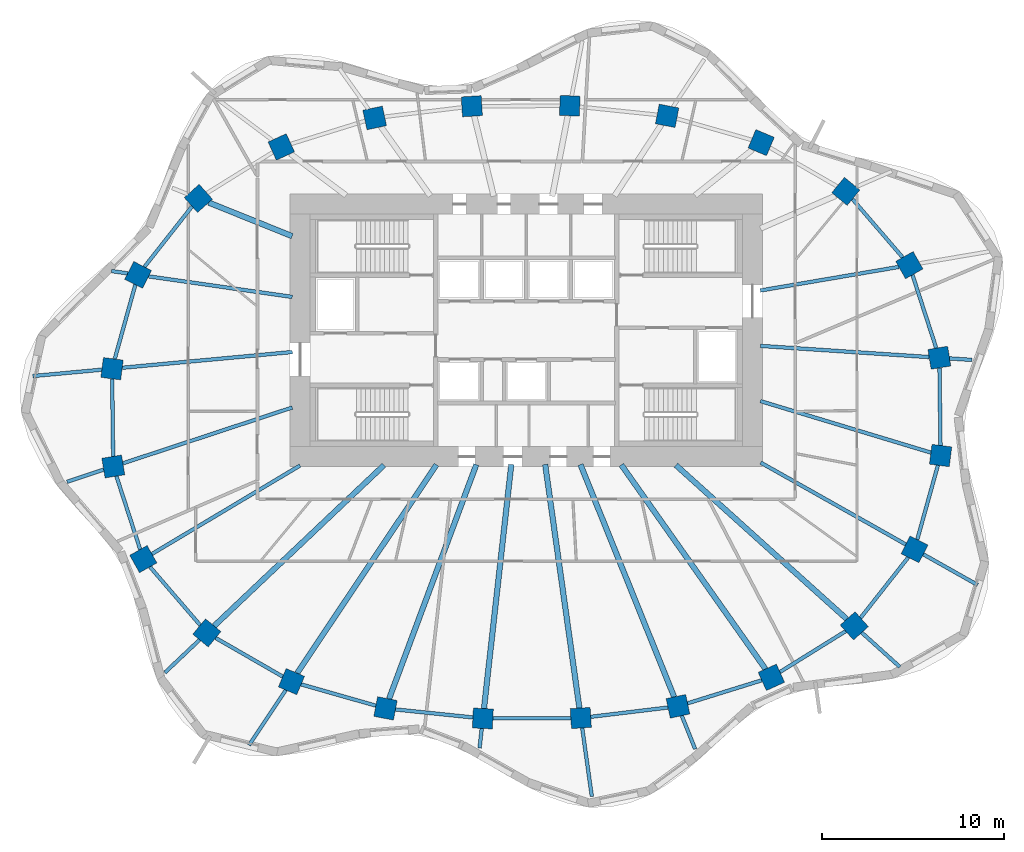
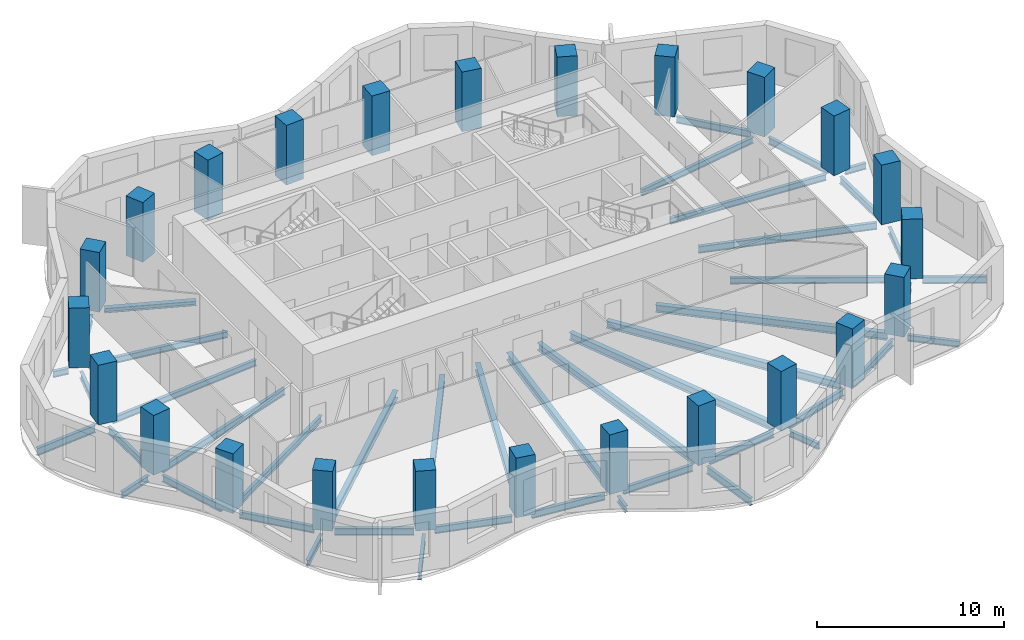
# One storey, part 1 of 9: 45 beams, 24 columns.
"""IFC4 building model written with IfcOpenShell, lengths in metres."""

from ifc_helpers import new_model, si_unit, direction, frame, origin, origin_2d, place, context, subcontext, project, spatial, rectangle, i_section, extrude, material, material_profile, profile_set, type_object, element, save


model = new_model("IFC4")

# Units and contexts
model_context = context("Model", 3, precision=1e-05, world=origin(), true_north=direction((0.0, 1.0)))
body_context = subcontext(model_context, "Body", "Model", "MODEL_VIEW")
ifc_project = project(units=[si_unit("LENGTHUNIT", "METRE"), si_unit("AREAUNIT", "SQUARE_METRE"), si_unit("VOLUMEUNIT", "CUBIC_METRE"), si_unit("PLANEANGLEUNIT", "RADIAN"), si_unit("MASSUNIT", "GRAM", prefix="KILO")], contexts=[model_context])

# Site, building, storey
site_placement = place(None, origin())
site = spatial("IfcSite", under=ifc_project, at=site_placement, CompositionType="ELEMENT")
building_placement = place(site_placement, origin())
building = spatial("IfcBuilding", under=site, at=building_placement, Name="Rubra Terraces Tower", CompositionType="ELEMENT")
storey_placement = place(building_placement, frame((0.0, 0.0, 138.300048828125)))
storey = spatial("IfcBuildingStorey", under=building, at=storey_placement, Name="L33", CompositionType="ELEMENT", Elevation=138.300048828125)

# Columns
ifc_material_1 = material(Name="Concrete C50", Category="concrete")
ifc_material_profile_1 = material_profile(ifc_material_1, rectangle(XDim=1.10009765625, YDim=1.10009765625, at=origin_2d()), Name="RC 1100x1100")
ifc_profile_set_1 = profile_set([ifc_material_profile_1], Name="Concrete C50")
column_type = type_object("IfcColumnType", Name="RING COLUMN RC 1100x1100 C50", PredefinedType="COLUMN", material=ifc_profile_set_1)
for number, where, z_axis, x_axis, name in (
    (1, (22.73388671875, 2.992919921875, 0.0), (0.0, 0.0, 1.0), (-0.162062155721, 0.986780551938, 0.0), "column-L33-ring-01"),
    (2, (21.0810546875, 8.090087890625, 0.0), (0.0, 0.0, 1.0), (-0.490161823029, 0.8716314515, 0.0), "column-L33-ring-02"),
    (3, (17.583984375, 12.15087890625, 0.0), (0.0, 0.0, 1.0), (-0.770679191336, 0.637223339216, 0.0), "column-L33-ring-03"),
    (4, (12.927001953125, 14.83203125, 0.0), (0.0, 0.0, 1.0), (-0.92110553102, 0.389312985558, 0.0), "column-L33-ring-04"),
    (5, (7.7509765625, 16.306884765625, 0.0), (0.0, 0.0, 1.0), (-0.981936574306, 0.189210369799, 0.0), "column-L33-ring-05"),
    (6, (2.39208984375, 16.862060546875, 0.0), (0.0, 0.0, 1.0), (-0.998791416829, 0.049149828786, 0.0), "column-L33-ring-06"),
    (7, (-2.9990234375, 16.8359375, 0.0), (0.0, 0.0, 1.0), (-0.998059443319, -0.062268351524, 0.0), "column-L33-ring-07"),
    (8, (-8.346923828125, 16.19189453125, 0.0), (0.0, 0.0, 1.0), (-0.977944102772, -0.208866780156, 0.0), "column-L33-ring-08"),
    (9, (-13.487060546875, 14.595947265625, 0.0), (0.0, 0.0, 1.0), (-0.90972649622, -0.415208022652, 0.0), "column-L33-ring-09"),
    (10, (-18.051025390625, 11.762939453125, 0.0), (0.0, 0.0, 1.0), (-0.7456420961, -0.66634665492, 0.0), "column-L33-ring-10"),
    (11, (-21.366943359375, 7.553955078125, 0.0), (0.0, 0.0, 1.0), (-0.452078869866, -0.891977968013, 0.0), "column-L33-ring-11"),
    (12, (-22.802001953125, 2.388916015625, 0.0), (0.0, 0.0, 1.0), (-0.128535191473, -0.991704948336, 0.0), "column-L33-ring-12"),
    (13, (-22.73388671875, -2.992919921875, 0.0), (0.0, 0.0, 1.0), (0.162062155721, -0.986780551938, 0.0), "column-L33-ring-13"),
    (14, (-21.0810546875, -8.090087890625, 0.0), (0.0, 0.0, 1.0), (0.490161823029, -0.8716314515, 0.0), "column-L33-ring-14"),
    (15, (-17.583984375, -12.15087890625, 0.0), (0.0, 0.0, 1.0), (0.770679191336, -0.637223339216, 0.0), "column-L33-ring-15"),
    (16, (-12.927001953125, -14.83203125, 0.0), (0.0, 0.0, 1.0), (0.92110553102, -0.389312985558, 0.0), "column-L33-ring-16"),
    (17, (-7.7509765625, -16.306884765625, 0.0), (0.0, 0.0, 1.0), (0.981936574306, -0.189210369799, 0.0), "column-L33-ring-17"),
    (18, (-2.39208984375, -16.862060546875, 0.0), (0.0, 0.0, 1.0), (0.998791416829, -0.049149828786, 0.0), "column-L33-ring-18"),
    (19, (2.9990234375, -16.8359375, 0.0), (0.0, 0.0, 1.0), (0.998059443319, 0.062268351524, 0.0), "column-L33-ring-19"),
    (20, (8.346923828125, -16.19189453125, 0.0), (0.0, 0.0, 1.0), (0.977944102772, 0.208866780156, 0.0), "column-L33-ring-20"),
    (21, (13.487060546875, -14.595947265625, 0.0), (0.0, 0.0, 1.0), (0.90972649622, 0.415208022652, 0.0), "column-L33-ring-21"),
    (22, (18.051025390625, -11.762939453125, 0.0), (0.0, 0.0, 1.0), (0.7456420961, 0.66634665492, 0.0), "column-L33-ring-22"),
    (23, (21.366943359375, -7.553955078125, 0.0), (0.0, 0.0, 1.0), (0.452078869866, 0.891977968013, 0.0), "column-L33-ring-23"),
    (24, (22.802001953125, -2.388916015625, 0.0), (0.0, 0.0, 1.0), (0.128535191473, 0.991704948336, 0.0), "column-L33-ring-24"),
):
    element("IfcColumn", number, at=place(storey_placement, frame(where, z_axis=z_axis, x_axis=x_axis)), inside=storey, type_object=column_type, Name=name, PredefinedType="COLUMN", context=body_context, shape_type="SweptSolid", body=[
        extrude(rectangle(XDim=1.10009765625, YDim=1.10009765625, at=origin_2d()), origin(), (0.0, 0.0, 1.0), 3.89990234375),
    ])

# Beams
ifc_material_2 = material(Name="Steel Q355B", Category="steel")
ifc_material_profile_2 = material_profile(ifc_material_2, i_section(OverallWidth=0.199951171875, OverallDepth=0.39990234375, WebThickness=0.008056640625, FlangeThickness=0.012939453125, at=origin_2d()), Name="HN 400x200x8x13")
ifc_profile_set_2 = profile_set([ifc_material_profile_2], Name="Steel Q355B")
beam_type_1 = type_object("IfcBeamType", Name="CANTILEVER BEAM HN 400x200x8x13", PredefinedType="BEAM", material=ifc_profile_set_2)
beam_1_placement = place(storey_placement, frame((-23.262939453125, -3.1669921875, -0.400146484375), z_axis=(-0.949759374295, -0.312981039264, 0.0), x_axis=(0.312981039264, -0.949759374295, 0.0)))
element("IfcBeam", 25, at=beam_1_placement, inside=storey, type_object=beam_type_1, Name="beam-L33-cant-13", PredefinedType="BEAM", context=body_context, shape_type="SweptSolid", body=[
    extrude(i_section(OverallWidth=0.199951171875, OverallDepth=0.39990234375, WebThickness=0.008056640625, FlangeThickness=0.012939453125, at=origin_2d()), origin(), (0.0, 0.0, 1.0), 2.121826171875),
])
beam_2_placement = place(storey_placement, frame((-17.986083984375, -12.531982421875, -0.400146484375), z_axis=(-0.726102150889, -0.68758684286, 0.0), x_axis=(0.68758684286, -0.726102150889, 0.0)))
element("IfcBeam", 26, at=beam_2_placement, inside=storey, type_object=beam_type_1, Name="beam-L33-cant-15", PredefinedType="BEAM", context=body_context, shape_type="SweptSolid", body=[
    extrude(i_section(OverallWidth=0.199951171875, OverallDepth=0.39990234375, WebThickness=0.008056640625, FlangeThickness=0.012939453125, at=origin_2d()), origin(), (0.0, 0.0, 1.0), 2.617919921875),
])
beam_3_placement = place(storey_placement, frame((8.555908203125, -16.7099609375, -0.400146484375), z_axis=(0.374177271319, -0.927357196353, 0.0), x_axis=(0.927357196353, 0.374177271319, 0.0)))
element("IfcBeam", 27, at=beam_3_placement, inside=storey, type_object=beam_type_1, Name="beam-L33-cant-20", PredefinedType="BEAM", context=body_context, shape_type="SweptSolid", body=[
    extrude(i_section(OverallWidth=0.199951171875, OverallDepth=0.39990234375, WebThickness=0.008056640625, FlangeThickness=0.012939453125, at=origin_2d()), origin(), (0.0, 0.0, 1.0), 1.9775390625),
])
beam_4_placement = place(storey_placement, frame((18.4619140625, -12.133056640625, -0.400146484375), z_axis=(0.742863981183, -0.669442383974, 0.0), x_axis=(0.669442383974, 0.742863981183, 0.0)))
element("IfcBeam", 28, at=beam_4_placement, inside=storey, type_object=beam_type_1, Name="beam-L33-cant-22", PredefinedType="BEAM", context=body_context, shape_type="SweptSolid", body=[
    extrude(i_section(OverallWidth=0.199951171875, OverallDepth=0.39990234375, WebThickness=0.008056640625, FlangeThickness=0.012939453125, at=origin_2d()), origin(), (0.0, 0.0, 1.0), 2.822998046875),
])
ifc_material_profile_3 = material_profile(ifc_material_2, i_section(OverallWidth=0.198974609375, OverallDepth=0.446044921875, WebThickness=0.008056640625, FlangeThickness=0.011962890625, at=origin_2d()), Name="HN 446x199x8x12")
ifc_profile_set_3 = profile_set([ifc_material_profile_3], Name="Steel Q355B")
beam_type_2 = type_object("IfcBeamType", Name="CANTILEVER BEAM HN 446x199x8x12", PredefinedType="BEAM", material=ifc_profile_set_3)
beam_5_placement = place(storey_placement, frame((21.846923828125, -7.824951171875, -0.423095703125), z_axis=(0.871003430184, -0.491276932705, 0.0), x_axis=(0.491276932705, 0.871003430184, 0.0)))
element("IfcBeam", 29, at=beam_5_placement, inside=storey, type_object=beam_type_2, Name="beam-L33-cant-23", PredefinedType="BEAM", context=body_context, shape_type="SweptSolid", body=[
    extrude(i_section(OverallWidth=0.198974609375, OverallDepth=0.446044921875, WebThickness=0.008056640625, FlangeThickness=0.011962890625, at=origin_2d()), origin(), (0.0, 0.0, 1.0), 3.433837890625),
])
ifc_material_profile_4 = material_profile(ifc_material_2, i_section(OverallWidth=0.198974609375, OverallDepth=0.49609375, WebThickness=0.009033203125, FlangeThickness=0.013916015625, at=origin_2d()), Name="HN 496x199x9x14")
ifc_profile_set_4 = profile_set([ifc_material_profile_4], Name="Steel Q355B")
beam_type_3 = type_object("IfcBeamType", Name="CANTILEVER BEAM HN 496x199x9x14", PredefinedType="BEAM", material=ifc_profile_set_4)
beam_6_placement = place(storey_placement, frame((-23.363037109375, 2.3369140625, -0.447998046875), z_axis=(-0.995741870342, -0.092185289763, 0.0), x_axis=(0.092185289763, -0.995741870342, 0.0)))
element("IfcBeam", 30, at=beam_6_placement, inside=storey, type_object=beam_type_3, Name="beam-L33-cant-12", PredefinedType="BEAM", context=body_context, shape_type="SweptSolid", body=[
    extrude(i_section(OverallWidth=0.198974609375, OverallDepth=0.49609375, WebThickness=0.009033203125, FlangeThickness=0.013916015625, at=origin_2d()), origin(), (0.0, 0.0, 1.0), 3.81640625),
])
beam_7_placement = place(storey_placement, frame((-13.238037109375, -15.298095703125, -0.447998046875), z_axis=(-0.555843573912, -0.831286906754, 0.0), x_axis=(0.831286906754, -0.555843573912, 0.0)))
element("IfcBeam", 31, at=beam_7_placement, inside=storey, type_object=beam_type_3, Name="beam-L33-cant-16", PredefinedType="BEAM", context=body_context, shape_type="SweptSolid", body=[
    extrude(i_section(OverallWidth=0.198974609375, OverallDepth=0.49609375, WebThickness=0.009033203125, FlangeThickness=0.013916015625, at=origin_2d()), origin(), (0.0, 0.0, 1.0), 3.644775390625),
])
beam_8_placement = place(storey_placement, frame((3.075927734375, -17.382080078125, -0.447998046875), z_axis=(0.139115411885, -0.990276174699, 0.0), x_axis=(0.990276174699, 0.139115411885, 0.0)))
element("IfcBeam", 32, at=beam_8_placement, inside=storey, type_object=beam_type_3, Name="beam-L33-cant-19", PredefinedType="BEAM", context=body_context, shape_type="SweptSolid", body=[
    extrude(i_section(OverallWidth=0.198974609375, OverallDepth=0.49609375, WebThickness=0.009033203125, FlangeThickness=0.013916015625, at=origin_2d()), origin(), (0.0, 0.0, 1.0), 3.81005859375),
])
ifc_material_profile_5 = material_profile(ifc_material_2, i_section(OverallWidth=0.199951171875, OverallDepth=0.39990234375, WebThickness=0.008056640625, FlangeThickness=0.012939453125, at=origin_2d()), Name="HN 400x200x8x13")
ifc_profile_set_5 = profile_set([ifc_material_profile_5], Name="Steel Q355B")
beam_type_4 = type_object("IfcBeamType", Name="CANTILEVER STUB HN 400x200x8x13", PredefinedType="BEAM", material=ifc_profile_set_5)
beam_9_placement = place(storey_placement, frame((23.298095703125, 2.9560546875, -0.400146484375), z_axis=(0.99781120572, -0.06612713316, 0.0), x_axis=(0.06612713316, 0.99781120572, 0.0)))
element("IfcBeam", 33, at=beam_9_placement, inside=storey, type_object=beam_type_4, Name="beam-L33-cant-01", PredefinedType="BEAM", context=body_context, shape_type="SweptSolid", body=[
    extrude(i_section(OverallWidth=0.199951171875, OverallDepth=0.39990234375, WebThickness=0.008056640625, FlangeThickness=0.012939453125, at=origin_2d()), origin(), (0.0, 0.0, 1.0), 1.240478515625),
])
beam_10_placement = place(storey_placement, frame((-21.94189453125, 7.635986328125, -0.400146484375), z_axis=(-0.989916778715, 0.141650171968, 0.0), x_axis=(-0.141650171968, -0.989916778715, 0.0)))
element("IfcBeam", 34, at=beam_10_placement, inside=storey, type_object=beam_type_4, Name="beam-L33-cant-11", PredefinedType="BEAM", context=body_context, shape_type="SweptSolid", body=[
    extrude(i_section(OverallWidth=0.199951171875, OverallDepth=0.39990234375, WebThickness=0.008056640625, FlangeThickness=0.012939453125, at=origin_2d()), origin(), (0.0, 0.0, 1.0), 0.896240234375),
])
beam_11_placement = place(storey_placement, frame((-2.452880859375, -17.409912109375, -0.400146484375), z_axis=(-0.111318262137, -0.993784807951, 0.0), x_axis=(0.993784807951, -0.111318262137, 0.0)))
element("IfcBeam", 35, at=beam_11_placement, inside=storey, type_object=beam_type_4, Name="beam-L33-cant-18", PredefinedType="BEAM", context=body_context, shape_type="SweptSolid", body=[
    extrude(i_section(OverallWidth=0.199951171875, OverallDepth=0.39990234375, WebThickness=0.008056640625, FlangeThickness=0.012939453125, at=origin_2d()), origin(), (0.0, 0.0, 1.0), 1.087890625),
])
ifc_material_profile_6 = material_profile(ifc_material_2, i_section(OverallWidth=0.300048828125, OverallDepth=0.48193359375, WebThickness=0.010986328125, FlangeThickness=0.014892578125, at=origin_2d()), Name="HM 482x300x11x15")
ifc_profile_set_6 = profile_set([ifc_material_profile_6], Name="Steel Q355B")
beam_type_5 = type_object("IfcBeamType", Name="FLOOR BEAM HM 482x300x11x15", PredefinedType="BEAM", material=ifc_profile_set_6)
beam_12_placement = place(storey_placement, frame((-17.181884765625, -11.77001953125, -0.441162109375), z_axis=(0.726100153208, 0.687588952436, 0.0), x_axis=(-0.687588952436, 0.726100153208, 0.0)))
element("IfcBeam", 36, at=beam_12_placement, inside=storey, type_object=beam_type_5, Name="beam-L33-floor-15", PredefinedType="BEAM", context=body_context, shape_type="SweptSolid", body=[
    extrude(i_section(OverallWidth=0.300048828125, OverallDepth=0.48193359375, WebThickness=0.010986328125, FlangeThickness=0.014892578125, at=origin_2d()), origin(), (0.0, 0.0, 1.0), 12.87548828125),
])
beam_13_placement = place(storey_placement, frame((-12.615966796875, -14.365966796875, -0.441162109375), z_axis=(0.555900449773, 0.831248873649, 0.0), x_axis=(-0.831248873649, 0.555900449773, 0.0)))
element("IfcBeam", 37, at=beam_13_placement, inside=storey, type_object=beam_type_5, Name="beam-L33-floor-16", PredefinedType="BEAM", context=body_context, shape_type="SweptSolid", body=[
    extrude(i_section(OverallWidth=0.300048828125, OverallDepth=0.48193359375, WebThickness=0.010986328125, FlangeThickness=0.014892578125, at=origin_2d()), origin(), (0.0, 0.0, 1.0), 13.793701171875),
])
beam_14_placement = place(storey_placement, frame((-7.555908203125, -15.783935546875, -0.441162109375), z_axis=(0.349081226263, 0.937092470075, 0.0), x_axis=(-0.937092470075, 0.349081226263, 0.0)))
element("IfcBeam", 38, at=beam_14_placement, inside=storey, type_object=beam_type_5, Name="beam-L33-floor-17", PredefinedType="BEAM", context=body_context, shape_type="SweptSolid", body=[
    extrude(i_section(OverallWidth=0.300048828125, OverallDepth=0.48193359375, WebThickness=0.010986328125, FlangeThickness=0.014892578125, at=origin_2d()), origin(), (0.0, 0.0, 1.0), 13.76171875),
])
beam_15_placement = place(storey_placement, frame((-2.3310546875, -16.31396484375, -0.441162109375), z_axis=(0.111351311584, 0.993781105379, 0.0), x_axis=(-0.993781105379, 0.111351311584, 0.0)))
element("IfcBeam", 39, at=beam_15_placement, inside=storey, type_object=beam_type_5, Name="beam-L33-floor-18", PredefinedType="BEAM", context=body_context, shape_type="SweptSolid", body=[
    extrude(i_section(OverallWidth=0.300048828125, OverallDepth=0.48193359375, WebThickness=0.010986328125, FlangeThickness=0.014892578125, at=origin_2d()), origin(), (0.0, 0.0, 1.0), 13.516845703125),
])
beam_16_placement = place(storey_placement, frame((2.922119140625, -16.2900390625, -0.441162109375), z_axis=(-0.139139078011, 0.990272849759, 0.0), x_axis=(-0.990272849759, -0.139139078011, 0.0)))
element("IfcBeam", 40, at=beam_16_placement, inside=storey, type_object=beam_type_5, Name="beam-L33-floor-19", PredefinedType="BEAM", context=body_context, shape_type="SweptSolid", body=[
    extrude(i_section(OverallWidth=0.300048828125, OverallDepth=0.48193359375, WebThickness=0.010986328125, FlangeThickness=0.014892578125, at=origin_2d()), origin(), (0.0, 0.0, 1.0), 13.54052734375),
])
beam_17_placement = place(storey_placement, frame((8.137939453125, -15.674072265625, -0.441162109375), z_axis=(-0.374072995757, 0.927399263449, 0.0), x_axis=(-0.927399263449, -0.374072995757, 0.0)))
element("IfcBeam", 41, at=beam_17_placement, inside=storey, type_object=beam_type_5, Name="beam-L33-floor-20", PredefinedType="BEAM", context=body_context, shape_type="SweptSolid", body=[
    extrude(i_section(OverallWidth=0.300048828125, OverallDepth=0.48193359375, WebThickness=0.010986328125, FlangeThickness=0.014892578125, at=origin_2d()), origin(), (0.0, 0.0, 1.0), 13.7861328125),
])
beam_18_placement = place(storey_placement, frame((13.1640625, -14.138916015625, -0.441162109375), z_axis=(-0.576885242087, 0.816825206187, 0.0), x_axis=(-0.816825206187, -0.576885242087, 0.0)))
element("IfcBeam", 42, at=beam_18_placement, inside=storey, type_object=beam_type_5, Name="beam-L33-floor-21", PredefinedType="BEAM", context=body_context, shape_type="SweptSolid", body=[
    extrude(i_section(OverallWidth=0.300048828125, OverallDepth=0.48193359375, WebThickness=0.010986328125, FlangeThickness=0.014892578125, at=origin_2d()), origin(), (0.0, 0.0, 1.0), 13.756591796875),
])
beam_19_placement = place(storey_placement, frame((17.639892578125, -11.39306640625, -0.441162109375), z_axis=(-0.742946892742, 0.669350367569, 0.0), x_axis=(-0.669350367569, -0.742946892742, 0.0)))
element("IfcBeam", 43, at=beam_19_placement, inside=storey, type_object=beam_type_5, Name="beam-L33-floor-22", PredefinedType="BEAM", context=body_context, shape_type="SweptSolid", body=[
    extrude(i_section(OverallWidth=0.300048828125, OverallDepth=0.48193359375, WebThickness=0.010986328125, FlangeThickness=0.014892578125, at=origin_2d()), origin(), (0.0, 0.0, 1.0), 12.65869140625),
])
ifc_material_profile_7 = material_profile(ifc_material_2, i_section(OverallWidth=0.199951171875, OverallDepth=0.39990234375, WebThickness=0.008056640625, FlangeThickness=0.012939453125, at=origin_2d()), Name="HN 400x200x8x13")
ifc_profile_set_7 = profile_set([ifc_material_profile_7], Name="Steel Q355B")
beam_type_6 = type_object("IfcBeamType", Name="FLOOR BEAM HN 400x200x8x13", PredefinedType="BEAM", material=ifc_profile_set_7)
beam_20_placement = place(storey_placement, frame((22.169921875, 3.030029296875, -0.400146484375), z_axis=(-0.997809110543, 0.0661587403, 0.0), x_axis=(-0.0661587403, -0.997809110543, 0.0)))
element("IfcBeam", 44, at=beam_20_placement, inside=storey, type_object=beam_type_6, Name="beam-L33-floor-01", PredefinedType="BEAM", context=body_context, shape_type="SweptSolid", body=[
    extrude(i_section(OverallWidth=0.199951171875, OverallDepth=0.39990234375, WebThickness=0.008056640625, FlangeThickness=0.012939453125, at=origin_2d()), origin(), (0.0, 0.0, 1.0), 9.310546875),
])
beam_21_placement = place(storey_placement, frame((20.5048828125, 7.991943359375, -0.400146484375), z_axis=(-0.985813612303, -0.167843742209, 0.0), x_axis=(0.167843742209, -0.985813612303, 0.0)))
element("IfcBeam", 45, at=beam_21_placement, inside=storey, type_object=beam_type_6, Name="beam-L33-floor-02", PredefinedType="BEAM", context=body_context, shape_type="SweptSolid", body=[
    extrude(i_section(OverallWidth=0.199951171875, OverallDepth=0.39990234375, WebThickness=0.008056640625, FlangeThickness=0.012939453125, at=origin_2d()), origin(), (0.0, 0.0, 1.0), 7.732421875),
])
beam_22_placement = place(storey_placement, frame((-20.7919921875, 7.471923828125, -0.400146484375), z_axis=(0.989936658262, -0.141511174924, 0.0), x_axis=(0.141511174924, 0.989936658262, 0.0)))
element("IfcBeam", 46, at=beam_22_placement, inside=storey, type_object=beam_type_6, Name="beam-L33-floor-11", PredefinedType="BEAM", context=body_context, shape_type="SweptSolid", body=[
    extrude(i_section(OverallWidth=0.199951171875, OverallDepth=0.39990234375, WebThickness=0.008056640625, FlangeThickness=0.012939453125, at=origin_2d()), origin(), (0.0, 0.0, 1.0), 7.9912109375),
])
beam_23_placement = place(storey_placement, frame((-22.240966796875, 2.44091796875, -0.400146484375), z_axis=(0.995735462061, 0.092254482791, 0.0), x_axis=(-0.092254482791, 0.995735462061, 0.0)))
element("IfcBeam", 47, at=beam_23_placement, inside=storey, type_object=beam_type_6, Name="beam-L33-floor-12", PredefinedType="BEAM", context=body_context, shape_type="SweptSolid", body=[
    extrude(i_section(OverallWidth=0.199951171875, OverallDepth=0.39990234375, WebThickness=0.008056640625, FlangeThickness=0.012939453125, at=origin_2d()), origin(), (0.0, 0.0, 1.0), 9.39990234375),
])
beam_24_placement = place(storey_placement, frame((-20.60888671875, -7.80810546875, -0.400146484375), z_axis=(0.858520950698, 0.51277848747, 0.0), x_axis=(-0.51277848747, 0.858520950698, 0.0)))
element("IfcBeam", 48, at=beam_24_placement, inside=storey, type_object=beam_type_6, Name="beam-L33-floor-14", PredefinedType="BEAM", context=body_context, shape_type="SweptSolid", body=[
    extrude(i_section(OverallWidth=0.199951171875, OverallDepth=0.39990234375, WebThickness=0.008056640625, FlangeThickness=0.012939453125, at=origin_2d()), origin(), (0.0, 0.0, 1.0), 9.49755859375),
])
beam_25_placement = place(storey_placement, frame((20.886962890625, -7.282958984375, -0.400146484375), z_axis=(-0.870988685804, 0.491303072656, 0.0), x_axis=(-0.491303072656, -0.870988685804, 0.0)))
element("IfcBeam", 49, at=beam_25_placement, inside=storey, type_object=beam_type_6, Name="beam-L33-floor-23", PredefinedType="BEAM", context=body_context, shape_type="SweptSolid", body=[
    extrude(i_section(OverallWidth=0.199951171875, OverallDepth=0.39990234375, WebThickness=0.008056640625, FlangeThickness=0.012939453125, at=origin_2d()), origin(), (0.0, 0.0, 1.0), 9.17578125),
])
ifc_material_profile_8 = material_profile(ifc_material_2, i_section(OverallWidth=0.198974609375, OverallDepth=0.446044921875, WebThickness=0.008056640625, FlangeThickness=0.011962890625, at=origin_2d()), Name="HN 446x199x8x12")
ifc_profile_set_8 = profile_set([ifc_material_profile_8], Name="Steel Q355B")
beam_type_7 = type_object("IfcBeamType", Name="FLOOR BEAM HN 446x199x8x12", PredefinedType="BEAM", material=ifc_profile_set_8)
beam_26_placement = place(storey_placement, frame((-22.205078125, -2.819091796875, -0.423095703125), z_axis=(0.949728041792, 0.313076103583, 0.0), x_axis=(-0.313076103583, 0.949728041792, 0.0)))
element("IfcBeam", 50, at=beam_26_placement, inside=storey, type_object=beam_type_7, Name="beam-L33-floor-13", PredefinedType="BEAM", context=body_context, shape_type="SweptSolid", body=[
    extrude(i_section(OverallWidth=0.198974609375, OverallDepth=0.446044921875, WebThickness=0.008056640625, FlangeThickness=0.011962890625, at=origin_2d()), origin(), (0.0, 0.0, 1.0), 9.8125),
])
beam_27_placement = place(storey_placement, frame((22.26806640625, -2.22802734375, -0.423095703125), z_axis=(-0.957261634756, 0.289223378419, 0.0), x_axis=(-0.289223378419, -0.957261634756, 0.0)))
element("IfcBeam", 51, at=beam_27_placement, inside=storey, type_object=beam_type_7, Name="beam-L33-floor-24", PredefinedType="BEAM", context=body_context, shape_type="SweptSolid", body=[
    extrude(i_section(OverallWidth=0.198974609375, OverallDepth=0.446044921875, WebThickness=0.008056640625, FlangeThickness=0.011962890625, at=origin_2d()), origin(), (0.0, 0.0, 1.0), 9.802001953125),
])
ifc_material_profile_9 = material_profile(ifc_material_2, i_section(OverallWidth=0.304931640625, OverallDepth=0.300048828125, WebThickness=0.014892578125, FlangeThickness=0.014892578125, at=origin_2d()), Name="HW 300x305x15x15")
ifc_profile_set_9 = profile_set([ifc_material_profile_9], Name="Steel Q355B")
beam_type_8 = type_object("IfcBeamType", Name="FLOOR BEAM HW 300x305x15x15", PredefinedType="BEAM", material=ifc_profile_set_9)
beam_28_placement = place(storey_placement, frame((-17.48193359375, 11.533935546875, -0.35009765625), z_axis=(0.927730023822, -0.373251929533, 0.0), x_axis=(0.373251929533, 0.927730023822, 0.0)))
element("IfcBeam", 52, at=beam_28_placement, inside=storey, type_object=beam_type_8, Name="beam-L33-floor-10", PredefinedType="BEAM", context=body_context, shape_type="SweptSolid", body=[
    extrude(i_section(OverallWidth=0.304931640625, OverallDepth=0.300048828125, WebThickness=0.014892578125, FlangeThickness=0.014892578125, at=origin_2d()), origin(), (0.0, 0.0, 1.0), 4.950927734375),
])
ifc_material_profile_10 = material_profile(ifc_material_2, i_section(OverallWidth=0.198974609375, OverallDepth=0.446044921875, WebThickness=0.008056640625, FlangeThickness=0.011962890625, at=origin_2d()), Name="HN 446x199x8x12")
ifc_profile_set_10 = profile_set([ifc_material_profile_10], Name="Steel Q355B")
beam_type_9 = type_object("IfcBeamType", Name="SPANDREL BEAM HN 446x199x8x12", PredefinedType="SPANDREL", material=ifc_profile_set_10)
beam_29_placement = place(storey_placement, frame((22.56201171875, 3.52197265625, -0.423095703125), z_axis=(-0.308462461648, 0.951236516201, 0.0), x_axis=(-0.951236516201, -0.308462461648, 0.0)))
element("IfcBeam", 53, at=beam_29_placement, inside=storey, type_object=beam_type_9, Name="beam-L33-spandrel-01", PredefinedType="SPANDREL", context=body_context, shape_type="SweptSolid", body=[
    extrude(i_section(OverallWidth=0.198974609375, OverallDepth=0.446044921875, WebThickness=0.008056640625, FlangeThickness=0.011962890625, at=origin_2d()), origin(), (0.0, 0.0, 1.0), 4.24072265625),
])
beam_30_placement = place(storey_placement, frame((20.715087890625, 8.514892578125, -0.423095703125), z_axis=(-0.65255344008, 0.757742705567, 0.0), x_axis=(-0.757742705567, -0.65255344008, 0.0)))
element("IfcBeam", 54, at=beam_30_placement, inside=storey, type_object=beam_type_9, Name="beam-L33-spandrel-02", PredefinedType="SPANDREL", context=body_context, shape_type="SweptSolid", body=[
    extrude(i_section(OverallWidth=0.198974609375, OverallDepth=0.446044921875, WebThickness=0.008056640625, FlangeThickness=0.011962890625, at=origin_2d()), origin(), (0.0, 0.0, 1.0), 4.240478515625),
])
beam_31_placement = place(storey_placement, frame((-18.39697265625, 11.323974609375, -0.423095703125), z_axis=(-0.618917461688, -0.785456030353, 0.0), x_axis=(0.785456030353, -0.618917461688, 0.0)))
element("IfcBeam", 55, at=beam_31_placement, inside=storey, type_object=beam_type_9, Name="beam-L33-spandrel-10", PredefinedType="SPANDREL", context=body_context, shape_type="SweptSolid", body=[
    extrude(i_section(OverallWidth=0.198974609375, OverallDepth=0.446044921875, WebThickness=0.008056640625, FlangeThickness=0.011962890625, at=origin_2d()), origin(), (0.0, 0.0, 1.0), 4.238037109375),
])
beam_32_placement = place(storey_placement, frame((-21.51708984375, 7.013916015625, -0.423095703125), z_axis=(-0.267626064819, -0.96352285361, 0.0), x_axis=(0.96352285361, -0.267626064819, 0.0)))
element("IfcBeam", 56, at=beam_32_placement, inside=storey, type_object=beam_type_9, Name="beam-L33-spandrel-11", PredefinedType="SPANDREL", context=body_context, shape_type="SweptSolid", body=[
    extrude(i_section(OverallWidth=0.198974609375, OverallDepth=0.446044921875, WebThickness=0.008056640625, FlangeThickness=0.011962890625, at=origin_2d()), origin(), (0.0, 0.0, 1.0), 4.24462890625),
])
beam_33_placement = place(storey_placement, frame((-22.794921875, 1.8330078125, -0.423095703125), z_axis=(0.012634783266, -0.99992017794, 0.0), x_axis=(0.99992017794, 0.012634783266, 0.0)))
element("IfcBeam", 57, at=beam_33_placement, inside=storey, type_object=beam_type_9, Name="beam-L33-spandrel-12", PredefinedType="SPANDREL", context=body_context, shape_type="SweptSolid", body=[
    extrude(i_section(OverallWidth=0.198974609375, OverallDepth=0.446044921875, WebThickness=0.008056640625, FlangeThickness=0.011962890625, at=origin_2d()), origin(), (0.0, 0.0, 1.0), 4.270263671875),
])
beam_34_placement = place(storey_placement, frame((-22.56201171875, -3.52197265625, -0.423095703125), z_axis=(0.308462461648, -0.951236516201, 0.0), x_axis=(0.951236516201, 0.308462461648, 0.0)))
element("IfcBeam", 58, at=beam_34_placement, inside=storey, type_object=beam_type_9, Name="beam-L33-spandrel-13", PredefinedType="SPANDREL", context=body_context, shape_type="SweptSolid", body=[
    extrude(i_section(OverallWidth=0.198974609375, OverallDepth=0.446044921875, WebThickness=0.008056640625, FlangeThickness=0.011962890625, at=origin_2d()), origin(), (0.0, 0.0, 1.0), 4.24072265625),
])
beam_35_placement = place(storey_placement, frame((-20.715087890625, -8.514892578125, -0.423095703125), z_axis=(0.65255344008, -0.757742705567, 0.0), x_axis=(0.757742705567, 0.65255344008, 0.0)))
element("IfcBeam", 59, at=beam_35_placement, inside=storey, type_object=beam_type_9, Name="beam-L33-spandrel-14", PredefinedType="SPANDREL", context=body_context, shape_type="SweptSolid", body=[
    extrude(i_section(OverallWidth=0.198974609375, OverallDepth=0.446044921875, WebThickness=0.008056640625, FlangeThickness=0.011962890625, at=origin_2d()), origin(), (0.0, 0.0, 1.0), 4.240478515625),
])
beam_36_placement = place(storey_placement, frame((-17.10009765625, -12.428955078125, -0.423095703125), z_axis=(0.866560147027, -0.49907265161, 0.0), x_axis=(0.49907265161, 0.866560147027, 0.0)))
element("IfcBeam", 60, at=beam_36_placement, inside=storey, type_object=beam_type_9, Name="beam-L33-spandrel-15", PredefinedType="SPANDREL", context=body_context, shape_type="SweptSolid", body=[
    extrude(i_section(OverallWidth=0.198974609375, OverallDepth=0.446044921875, WebThickness=0.008056640625, FlangeThickness=0.011962890625, at=origin_2d()), origin(), (0.0, 0.0, 1.0), 4.26171875),
])
beam_37_placement = place(storey_placement, frame((-12.39404296875, -14.98388671875, -0.423095703125), z_axis=(0.961693978406, -0.274125321518, 0.0), x_axis=(0.274125321518, 0.961693978406, 0.0)))
element("IfcBeam", 61, at=beam_37_placement, inside=storey, type_object=beam_type_9, Name="beam-L33-spandrel-16", PredefinedType="SPANDREL", context=body_context, shape_type="SweptSolid", body=[
    extrude(i_section(OverallWidth=0.198974609375, OverallDepth=0.446044921875, WebThickness=0.008056640625, FlangeThickness=0.011962890625, at=origin_2d()), origin(), (0.0, 0.0, 1.0), 4.27587890625),
])
beam_38_placement = place(storey_placement, frame((-7.201904296875, -16.364013671875, -0.423095703125), z_axis=(0.994691190497, -0.102904983103, 0.0), x_axis=(0.102904983103, 0.994691190497, 0.0)))
element("IfcBeam", 62, at=beam_38_placement, inside=storey, type_object=beam_type_9, Name="beam-L33-spandrel-17", PredefinedType="SPANDREL", context=body_context, shape_type="SweptSolid", body=[
    extrude(i_section(OverallWidth=0.198974609375, OverallDepth=0.446044921875, WebThickness=0.008056640625, FlangeThickness=0.011962890625, at=origin_2d()), origin(), (0.0, 0.0, 1.0), 4.28466796875),
])
beam_39_placement = place(storey_placement, frame((-1.841064453125, -16.85888671875, -0.423095703125), z_axis=(0.999989371096, 0.004610606731, 0.0), x_axis=(-0.004610606731, 0.999989371096, 0.0)))
element("IfcBeam", 63, at=beam_39_placement, inside=storey, type_object=beam_type_9, Name="beam-L33-spandrel-18", PredefinedType="SPANDREL", context=body_context, shape_type="SweptSolid", body=[
    extrude(i_section(OverallWidth=0.198974609375, OverallDepth=0.446044921875, WebThickness=0.008056640625, FlangeThickness=0.011962890625, at=origin_2d()), origin(), (0.0, 0.0, 1.0), 4.2890625),
])
beam_40_placement = place(storey_placement, frame((3.5458984375, -16.77001953125, -0.423095703125), z_axis=(0.992833084949, 0.119509269223, 0.0), x_axis=(-0.119509269223, 0.992833084949, 0.0)))
element("IfcBeam", 64, at=beam_40_placement, inside=storey, type_object=beam_type_9, Name="beam-L33-spandrel-19", PredefinedType="SPANDREL", context=body_context, shape_type="SweptSolid", body=[
    extrude(i_section(OverallWidth=0.198974609375, OverallDepth=0.446044921875, WebThickness=0.008056640625, FlangeThickness=0.011962890625, at=origin_2d()), origin(), (0.0, 0.0, 1.0), 4.283935546875),
])
beam_41_placement = place(storey_placement, frame((8.8740234375, -16.028076171875, -0.423095703125), z_axis=(0.955002801089, 0.296596780008, 0.0), x_axis=(-0.296596780008, 0.955002801089, 0.0)))
element("IfcBeam", 65, at=beam_41_placement, inside=storey, type_object=beam_type_9, Name="beam-L33-spandrel-20", PredefinedType="SPANDREL", context=body_context, shape_type="SweptSolid", body=[
    extrude(i_section(OverallWidth=0.198974609375, OverallDepth=0.446044921875, WebThickness=0.008056640625, FlangeThickness=0.011962890625, at=origin_2d()), origin(), (0.0, 0.0, 1.0), 4.275390625),
])
beam_42_placement = place(storey_placement, frame((13.9580078125, -14.303955078125, -0.423095703125), z_axis=(0.849549830498, 0.527508374816, 0.0), x_axis=(-0.527508374816, 0.849549830498, 0.0)))
element("IfcBeam", 66, at=beam_42_placement, inside=storey, type_object=beam_type_9, Name="beam-L33-spandrel-21", PredefinedType="SPANDREL", context=body_context, shape_type="SweptSolid", body=[
    extrude(i_section(OverallWidth=0.198974609375, OverallDepth=0.446044921875, WebThickness=0.008056640625, FlangeThickness=0.011962890625, at=origin_2d()), origin(), (0.0, 0.0, 1.0), 4.259765625),
])
beam_43_placement = place(storey_placement, frame((18.39697265625, -11.323974609375, -0.423095703125), z_axis=(0.618917461688, 0.785456030353, 0.0), x_axis=(-0.785456030353, 0.618917461688, 0.0)))
element("IfcBeam", 67, at=beam_43_placement, inside=storey, type_object=beam_type_9, Name="beam-L33-spandrel-22", PredefinedType="SPANDREL", context=body_context, shape_type="SweptSolid", body=[
    extrude(i_section(OverallWidth=0.198974609375, OverallDepth=0.446044921875, WebThickness=0.008056640625, FlangeThickness=0.011962890625, at=origin_2d()), origin(), (0.0, 0.0, 1.0), 4.238037109375),
])
beam_44_placement = place(storey_placement, frame((21.51708984375, -7.013916015625, -0.423095703125), z_axis=(0.267626064819, 0.96352285361, 0.0), x_axis=(-0.96352285361, 0.267626064819, 0.0)))
element("IfcBeam", 68, at=beam_44_placement, inside=storey, type_object=beam_type_9, Name="beam-L33-spandrel-23", PredefinedType="SPANDREL", context=body_context, shape_type="SweptSolid", body=[
    extrude(i_section(OverallWidth=0.198974609375, OverallDepth=0.446044921875, WebThickness=0.008056640625, FlangeThickness=0.011962890625, at=origin_2d()), origin(), (0.0, 0.0, 1.0), 4.24462890625),
])
beam_45_placement = place(storey_placement, frame((22.794921875, -1.8330078125, -0.423095703125), z_axis=(-0.012634783266, 0.99992017794, 0.0), x_axis=(-0.99992017794, -0.012634783266, 0.0)))
element("IfcBeam", 69, at=beam_45_placement, inside=storey, type_object=beam_type_9, Name="beam-L33-spandrel-24", PredefinedType="SPANDREL", context=body_context, shape_type="SweptSolid", body=[
    extrude(i_section(OverallWidth=0.198974609375, OverallDepth=0.446044921875, WebThickness=0.008056640625, FlangeThickness=0.011962890625, at=origin_2d()), origin(), (0.0, 0.0, 1.0), 4.270263671875),
])

save(model, "model.ifc")
